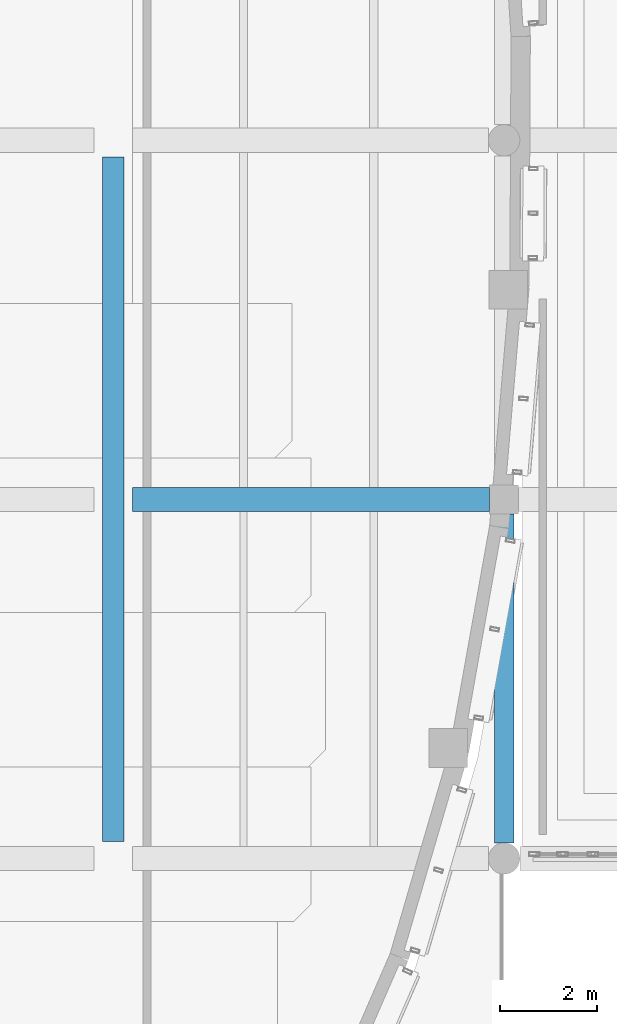
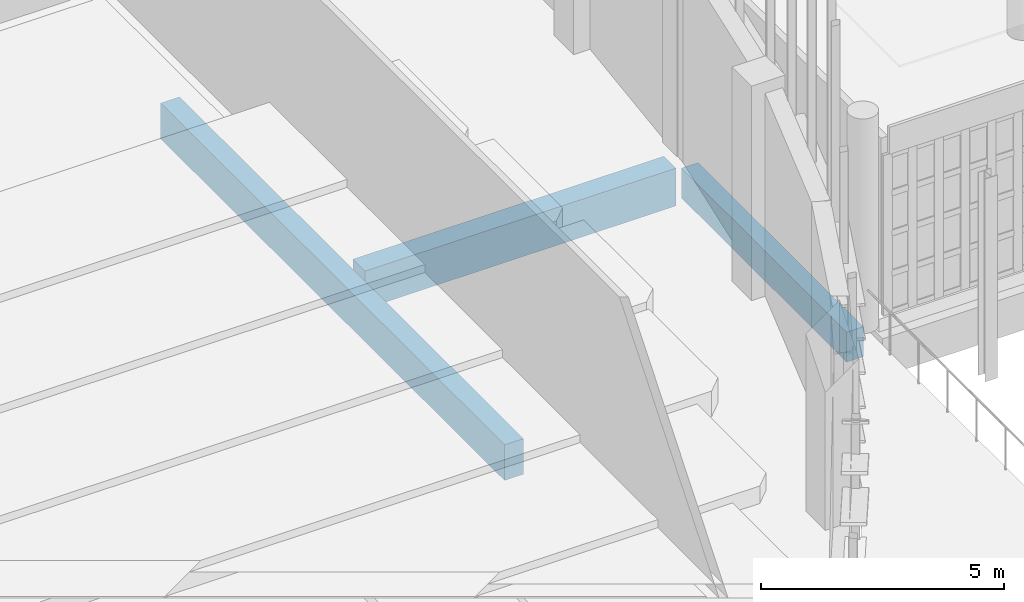
# One storey, part 111 of 372: 3 beams.
"""IFC4 building model written with IfcOpenShell, lengths in metres."""

import ifcopenshell
import ifcopenshell.guid

model = None  # the IFC model being written
_history = None  # IfcOwnerHistory: only IFC2X3 demands one
_inside = {}  # id of a spatial element -> (the spatial element, [elements in it])
_under = {}  # id of a project, library or spatial element -> (it, [spatial elements below it])
_declared = {}  # id of a project -> (the project, [libraries it declares])
_typed = {}  # id of a type object -> (the type object, [elements of that type])
_made_of = {}  # id of a material, layer set ... -> (it, [elements and type objects made of it])


def new_model(schema):
    """Start an empty IFC model of exactly this schema.

    Asked for "IFC4X3", IfcOpenShell would pick the latest addendum, in which some entities
    have other attributes; the version numbers below select the first issue.
    IFC2X3 requires an IfcOwnerHistory on every rooted entity: one is made here for all.
    """
    global model, _history
    if schema == "IFC4X3":
        model = ifcopenshell.file(schema_version=(4, 3, 0, 0))
    else:
        model = ifcopenshell.file(schema=schema)
    _inside.clear()
    _under.clear()
    _declared.clear()
    _typed.clear()
    _made_of.clear()
    _history = None
    if model.schema == "IFC2X3":
        org = make("IfcOrganization", Name="unknown")
        user = make(
            "IfcPersonAndOrganization",
            ThePerson=make("IfcPerson", FamilyName="unknown"),
            TheOrganization=org,
        )
        app = make(
            "IfcApplication",
            ApplicationDeveloper=org,
            Version="unknown",
            ApplicationFullName="unknown",
            ApplicationIdentifier="unknown",
        )
        _history = make(
            "IfcOwnerHistory",
            OwningUser=user,
            OwningApplication=app,
            ChangeAction="ADDED",
            CreationDate=0,
        )
    return model


def make(cls, **values):
    """One entity of the class cls with the attributes given. An attribute that is None is left unset."""
    return model.create_entity(
        cls, **{name: value for name, value in values.items() if value is not None}
    )


def rooted(cls, **values):
    """An entity with a GlobalId (a new one), such as an element, a storey or a relation."""
    return make(cls, GlobalId=ifcopenshell.guid.new(), OwnerHistory=_history, **values)


def si_unit(unit_type, name, prefix=None):
    """IfcSIUnit, for example si_unit("LENGTHUNIT", "METRE", prefix="MILLI")."""
    return make("IfcSIUnit", UnitType=unit_type, Prefix=prefix, Name=name)


def assignment(units):
    """IfcUnitAssignment: the units of a project."""
    return None if units is None else make("IfcUnitAssignment", Units=units)


def point(xyz):
    """IfcCartesianPoint."""
    return None if xyz is None else make("IfcCartesianPoint", Coordinates=xyz)


def direction(xyz):
    """IfcDirection."""
    return None if xyz is None else make("IfcDirection", DirectionRatios=xyz)


def frame(location, z_axis=None, x_axis=None):
    """IfcAxis2Placement3D, a coordinate frame: its origin and axes. An axis left out is left unset."""
    return make(
        "IfcAxis2Placement3D",
        Location=point(location),
        Axis=direction(z_axis),
        RefDirection=direction(x_axis),
    )


def frame_2d(location, x_axis=None):
    """IfcAxis2Placement2D, a coordinate frame in the plane: its origin and x axis."""
    return make(
        "IfcAxis2Placement2D", Location=point(location), RefDirection=direction(x_axis)
    )


def origin():
    """The frame at (0, 0, 0) with its axes left unset."""
    return frame((0.0, 0.0, 0.0))


def origin_2d():
    """The frame at (0, 0) in the plane with its x axis left unset."""
    return frame_2d((0.0, 0.0))


def place(relative_to, where):
    """IfcLocalPlacement: puts the frame where relative to a parent placement (None: the world)."""
    return make(
        "IfcLocalPlacement", PlacementRelTo=relative_to, RelativePlacement=where
    )


def context(
    kind, dimensions, precision=None, world=None, true_north=None, identifier=None
):
    """IfcGeometricRepresentationContext, for example the 3D "Model" context."""
    return make(
        "IfcGeometricRepresentationContext",
        ContextIdentifier=identifier,
        ContextType=kind,
        CoordinateSpaceDimension=dimensions,
        Precision=precision,
        WorldCoordinateSystem=world,
        TrueNorth=true_north,
    )


def subcontext(parent, identifier, kind, view, scale=None):
    """IfcGeometricRepresentationSubContext, for example "Body" below "Model"."""
    return make(
        "IfcGeometricRepresentationSubContext",
        ContextIdentifier=identifier,
        ContextType=kind,
        ParentContext=parent,
        TargetScale=scale,
        TargetView=view,
    )


def project(units=None, contexts=None):
    """IfcProject with its units and contexts."""
    return rooted(
        "IfcProject",
        Name="project",
        RepresentationContexts=contexts,
        UnitsInContext=assignment(units),
    )


def spatial(cls, under=None, at=None, **own):
    """A site, building, storey or space (cls), placed at a placement, below another one or the project."""
    s = rooted(cls, ObjectPlacement=at, **own)
    if under is not None:
        _under.setdefault(under.id(), (under, []))[1].append(s)
    return s


def profile(cls, at=None, kind="AREA", **sizes):
    """A parametric profile (cls). Its sizes go by their IFC names, for example OverallWidth=200.0."""
    return make(cls, ProfileType=kind, Position=at, **sizes)


def rectangle(**sizes):
    """IfcRectangleProfileDef."""
    return profile("IfcRectangleProfileDef", **sizes)


def extrude(swept, where, along, depth):
    """IfcExtrudedAreaSolid: the profile swept, set in the frame where, extruded along a direction by depth."""
    return make(
        "IfcExtrudedAreaSolid",
        SweptArea=swept,
        Position=where,
        ExtrudedDirection=direction(along),
        Depth=depth,
    )


def shape(context_of_items, identifier, shape_type, items):
    """IfcShapeRepresentation: the items that make up one representation, for example the "Body"."""
    return make(
        "IfcShapeRepresentation",
        ContextOfItems=context_of_items,
        RepresentationIdentifier=identifier,
        RepresentationType=shape_type,
        Items=items,
    )


def material(Name=None, Category=None):
    """IfcMaterial."""
    return make("IfcMaterial", Name=Name, Category=Category)


def material_profile(
    of_material, cross_section, Name=None, Category=None, Priority=None
):
    """IfcMaterialProfile: a cross section and its material."""
    return make(
        "IfcMaterialProfile",
        Name=Name,
        Material=of_material,
        Profile=cross_section,
        Priority=Priority,
        Category=Category,
    )


def profile_set(profiles, Name=None, composite=None):
    """IfcMaterialProfileSet."""
    return make(
        "IfcMaterialProfileSet",
        Name=Name,
        MaterialProfiles=profiles,
        CompositeProfile=composite,
    )


def made_of(thing, what):
    """Note that an element or type object is made of a material, layer set ...; save() writes the relation."""
    if what is not None:
        _made_of.setdefault(what.id(), (what, []))[1].append(thing)
    return thing


def type_object(cls, material=None, **own):
    """A type object (cls), such as IfcWallType, which elements share."""
    return made_of(rooted(cls, **own), material)


def element(
    cls,
    number,
    at=None,
    inside=None,
    cuts=None,
    type_object=None,
    material=None,
    context=None,
    identifier="Body",
    shape_type=None,
    held_by="IfcProductDefinitionShape",
    body=None,
    shapes=None,
    **own,
):
    """One element of the class cls, such as IfcWall. Its Tag is "e" and its number.

    at: its placement. inside: the storey or other place that contains it. cuts: it is an
    opening in that element (IfcRelVoidsElement). A single representation is given by context,
    identifier, shape_type and body (its items); several are given by shapes. held_by: the class
    of the entity that holds the representations. save() writes the other relations.
    """
    e = rooted(cls, Tag="e%d" % number, ObjectPlacement=at, **own)
    if body is not None:
        shapes = [shape(context, identifier, shape_type, body)]
    if shapes is not None:
        e.Representation = make(held_by, Representations=shapes)
    if inside is not None:
        _inside.setdefault(inside.id(), (inside, []))[1].append(e)
    if cuts is not None:
        rooted(
            "IfcRelVoidsElement", RelatingBuildingElement=cuts, RelatedOpeningElement=e
        )
    if type_object is not None:
        _typed.setdefault(type_object.id(), (type_object, []))[1].append(e)
    return made_of(e, material)


def aggregate(whole, parts):
    """IfcRelAggregates: a whole, such as a stair, and the parts it consists of."""
    return rooted("IfcRelAggregates", RelatingObject=whole, RelatedObjects=parts)


def save(model, path):
    """Write the relations noted so far, then the file.

    IfcRelAggregates (storeys below a building ...), IfcRelContainedInSpatialStructure (elements
    in a storey), IfcRelDefinesByType, IfcRelAssociatesMaterial and IfcRelDeclares: one each for
    every whole, place, type object, material and project.
    """
    for whole, parts in _under.values():
        aggregate(whole, parts)
    for where, things in _inside.values():
        rooted(
            "IfcRelContainedInSpatialStructure",
            RelatedElements=things,
            RelatingStructure=where,
        )
    for kind, things in _typed.values():
        rooted("IfcRelDefinesByType", RelatedObjects=things, RelatingType=kind)
    for what, things in _made_of.values():
        rooted("IfcRelAssociatesMaterial", RelatedObjects=things, RelatingMaterial=what)
    for by, libraries in _declared.values():
        rooted("IfcRelDeclares", RelatingContext=by, RelatedDefinitions=libraries)
    model.write(path)


model = new_model("IFC4")

# Units and contexts
model_context = context("Model", 3, precision=1e-05, world=origin(), true_north=direction((0.0, 1.0)))
body_context = subcontext(model_context, "Body", "Model", "MODEL_VIEW")
ifc_project = project(units=[si_unit("LENGTHUNIT", "METRE"), si_unit("AREAUNIT", "SQUARE_METRE"), si_unit("VOLUMEUNIT", "CUBIC_METRE"), si_unit("PLANEANGLEUNIT", "RADIAN"), si_unit("MASSUNIT", "GRAM", prefix="KILO")], contexts=[model_context])

# Site, building, storey
site_placement = place(None, origin())
site = spatial("IfcSite", under=ifc_project, at=site_placement, CompositionType="ELEMENT")
building_placement = place(site_placement, origin())
building = spatial("IfcBuilding", under=site, at=building_placement, Name="Kaelora Sail Theatre", CompositionType="ELEMENT")
storey_placement = place(building_placement, origin())
storey = spatial("IfcBuildingStorey", under=building, at=storey_placement, Name="L00", CompositionType="ELEMENT", Elevation=0.0)

# Beams
ifc_material_1 = material(Name="Concrete C40/50", Category="concrete")
ifc_material_profile_1 = material_profile(ifc_material_1, rectangle(XDim=0.39990234375, YDim=0.75, at=origin_2d()), Name="RC-BM 400x750")
ifc_profile_set_1 = profile_set([ifc_material_profile_1], Name="Concrete C40/50")
beam_type_1 = type_object("IfcBeamType", Name="STR-BM-BM-RC4075", PredefinedType="BEAM", material=ifc_profile_set_1)
beam_1_placement = place(storey_placement, frame((58.199951171875, 39.02490234375, -0.695068359375), z_axis=(0.0, 1.0, 0.0), x_axis=(-1.0, 0.0, 0.0)))
element("IfcBeam", 1, at=beam_1_placement, inside=storey, type_object=beam_type_1, Name="Primary beam 8 F-G (L00)", PredefinedType="BEAM", context=body_context, shape_type="SweptSolid", body=[
    extrude(rectangle(XDim=0.39990234375, YDim=0.75, at=origin_2d()), origin(), (0.0, 0.0, 1.0), 6.815185546875),
])
ifc_material_2 = material(Name="Concrete C45/55", Category="concrete")
ifc_material_profile_2 = material_profile(ifc_material_2, rectangle(XDim=0.5, YDim=0.949951171875, at=origin_2d()), Name="RC-GRD 500x950")
ifc_profile_set_2 = profile_set([ifc_material_profile_2], Name="Concrete C45/55")
beam_type_2 = type_object("IfcBeamType", Name="STR-BM-GR-RC5095", PredefinedType="T_BEAM", material=ifc_profile_set_2)
beam_2_placement = place(storey_placement, frame((50.5, 46.139892578125, -0.794921875), z_axis=(1.0, 0.0, 0.0), x_axis=(0.0, 1.0, 0.0)))
element("IfcBeam", 2, at=beam_2_placement, inside=storey, type_object=beam_type_2, Name="Primary beam G 7-8 (L00)", PredefinedType="T_BEAM", context=body_context, shape_type="SweptSolid", body=[
    extrude(rectangle(XDim=0.5, YDim=0.949951171875, at=origin_2d()), origin(), (0.0, 0.0, 1.0), 7.39990234375),
])
ifc_material_3 = material(Name="Concrete C45/55", Category="concrete")
ifc_material_profile_3 = material_profile(ifc_material_3, rectangle(XDim=0.449951171875, YDim=0.89990234375, at=origin_2d()), Name="RC-RAK 450x900")
ifc_profile_set_3 = profile_set([ifc_material_profile_3], Name="Concrete C45/55")
beam_type_3 = type_object("IfcBeamType", Name="STR-BM-RK-RC4590", PredefinedType="BEAM", material=ifc_profile_set_3)
beam_3_placement = place(storey_placement, frame((50.10009765625, 39.050048828125, -0.77001953125), z_axis=(0.0, 1.0, 0.0), x_axis=(-1.0, 0.0, 0.0)))
element("IfcBeam", 3, at=beam_3_placement, inside=storey, type_object=beam_type_3, Name="Main auditorium understage spine raker 3", PredefinedType="BEAM", context=body_context, shape_type="SweptSolid", body=[
    extrude(rectangle(XDim=0.449951171875, YDim=0.89990234375, at=origin_2d()), origin(), (0.0, 0.0, 1.0), 14.179931640625),
])

save(model, "model.ifc")
